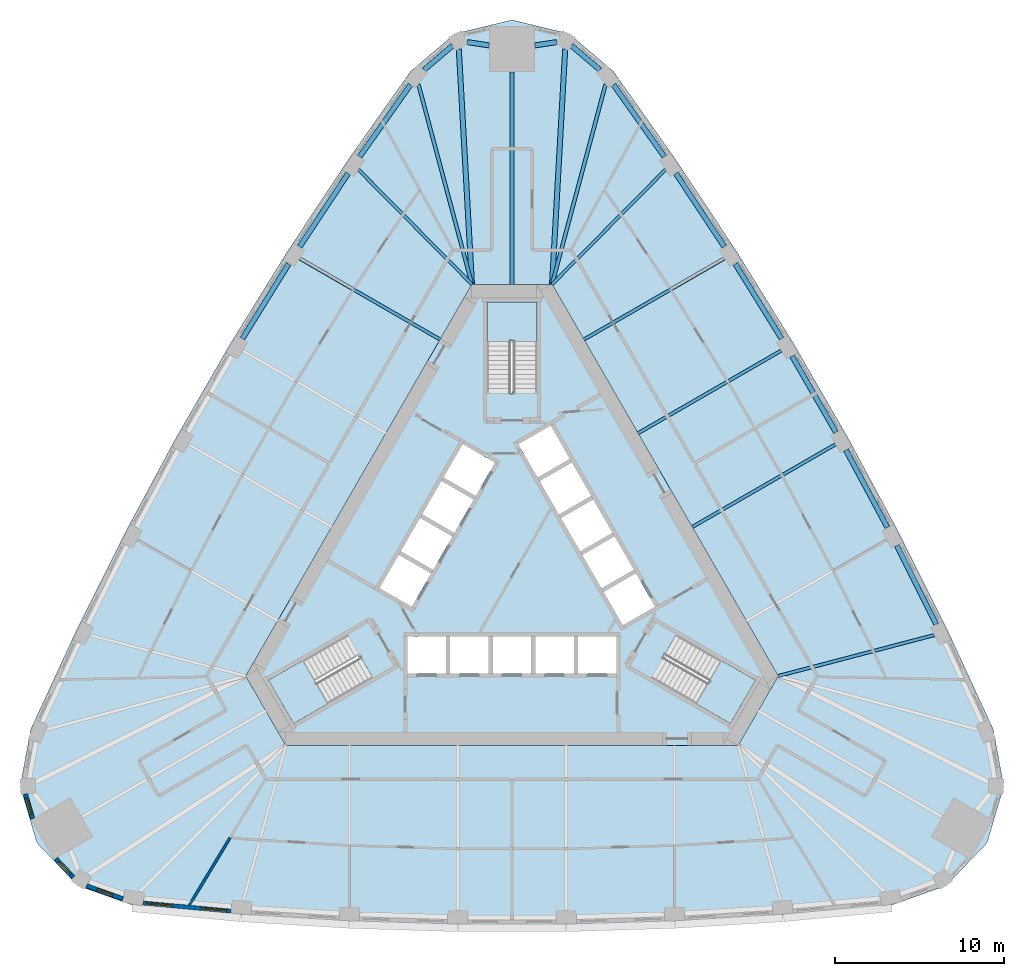
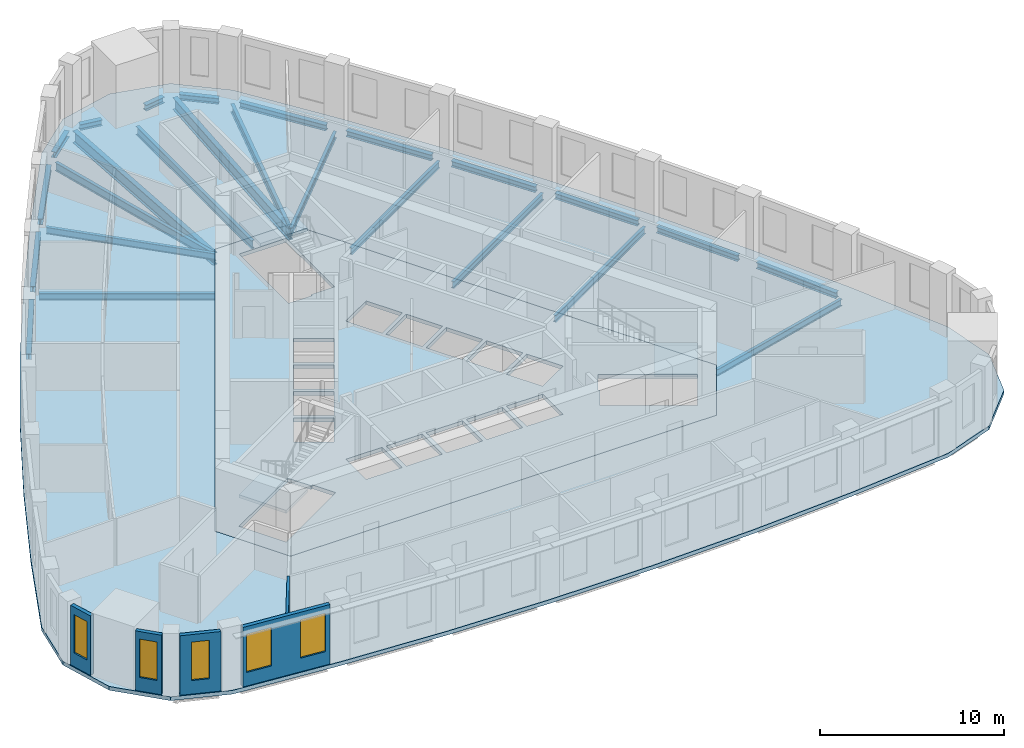
# One storey, part 2 of 10: 25 beams, 5 slabs, 5 walls, 5 windows, 5 openings, 3 elements without a shape of their own.
"""IFC4 building model written with IfcOpenShell, lengths in metres."""

import ifcopenshell
import ifcopenshell.guid

model = None  # the IFC model being written
_history = None  # IfcOwnerHistory: only IFC2X3 demands one
_inside = {}  # id of a spatial element -> (the spatial element, [elements in it])
_under = {}  # id of a project, library or spatial element -> (it, [spatial elements below it])
_declared = {}  # id of a project -> (the project, [libraries it declares])
_typed = {}  # id of a type object -> (the type object, [elements of that type])
_made_of = {}  # id of a material, layer set ... -> (it, [elements and type objects made of it])


def new_model(schema):
    """Start an empty IFC model of exactly this schema.

    Asked for "IFC4X3", IfcOpenShell would pick the latest addendum, in which some entities
    have other attributes; the version numbers below select the first issue.
    IFC2X3 requires an IfcOwnerHistory on every rooted entity: one is made here for all.
    """
    global model, _history
    if schema == "IFC4X3":
        model = ifcopenshell.file(schema_version=(4, 3, 0, 0))
    else:
        model = ifcopenshell.file(schema=schema)
    _inside.clear()
    _under.clear()
    _declared.clear()
    _typed.clear()
    _made_of.clear()
    _history = None
    if model.schema == "IFC2X3":
        org = make("IfcOrganization", Name="unknown")
        user = make(
            "IfcPersonAndOrganization",
            ThePerson=make("IfcPerson", FamilyName="unknown"),
            TheOrganization=org,
        )
        app = make(
            "IfcApplication",
            ApplicationDeveloper=org,
            Version="unknown",
            ApplicationFullName="unknown",
            ApplicationIdentifier="unknown",
        )
        _history = make(
            "IfcOwnerHistory",
            OwningUser=user,
            OwningApplication=app,
            ChangeAction="ADDED",
            CreationDate=0,
        )
    return model


def make(cls, **values):
    """One entity of the class cls with the attributes given. An attribute that is None is left unset."""
    return model.create_entity(
        cls, **{name: value for name, value in values.items() if value is not None}
    )


def rooted(cls, **values):
    """An entity with a GlobalId (a new one), such as an element, a storey or a relation."""
    return make(cls, GlobalId=ifcopenshell.guid.new(), OwnerHistory=_history, **values)


def si_unit(unit_type, name, prefix=None):
    """IfcSIUnit, for example si_unit("LENGTHUNIT", "METRE", prefix="MILLI")."""
    return make("IfcSIUnit", UnitType=unit_type, Prefix=prefix, Name=name)


def assignment(units):
    """IfcUnitAssignment: the units of a project."""
    return None if units is None else make("IfcUnitAssignment", Units=units)


def point(xyz):
    """IfcCartesianPoint."""
    return None if xyz is None else make("IfcCartesianPoint", Coordinates=xyz)


def direction(xyz):
    """IfcDirection."""
    return None if xyz is None else make("IfcDirection", DirectionRatios=xyz)


def frame(location, z_axis=None, x_axis=None):
    """IfcAxis2Placement3D, a coordinate frame: its origin and axes. An axis left out is left unset."""
    return make(
        "IfcAxis2Placement3D",
        Location=point(location),
        Axis=direction(z_axis),
        RefDirection=direction(x_axis),
    )


def frame_2d(location, x_axis=None):
    """IfcAxis2Placement2D, a coordinate frame in the plane: its origin and x axis."""
    return make(
        "IfcAxis2Placement2D", Location=point(location), RefDirection=direction(x_axis)
    )


def origin():
    """The frame at (0, 0, 0) with its axes left unset."""
    return frame((0.0, 0.0, 0.0))


def origin_2d():
    """The frame at (0, 0) in the plane with its x axis left unset."""
    return frame_2d((0.0, 0.0))


def place(relative_to, where):
    """IfcLocalPlacement: puts the frame where relative to a parent placement (None: the world)."""
    return make(
        "IfcLocalPlacement", PlacementRelTo=relative_to, RelativePlacement=where
    )


def context(
    kind, dimensions, precision=None, world=None, true_north=None, identifier=None
):
    """IfcGeometricRepresentationContext, for example the 3D "Model" context."""
    return make(
        "IfcGeometricRepresentationContext",
        ContextIdentifier=identifier,
        ContextType=kind,
        CoordinateSpaceDimension=dimensions,
        Precision=precision,
        WorldCoordinateSystem=world,
        TrueNorth=true_north,
    )


def subcontext(parent, identifier, kind, view, scale=None):
    """IfcGeometricRepresentationSubContext, for example "Body" below "Model"."""
    return make(
        "IfcGeometricRepresentationSubContext",
        ContextIdentifier=identifier,
        ContextType=kind,
        ParentContext=parent,
        TargetScale=scale,
        TargetView=view,
    )


def project(units=None, contexts=None):
    """IfcProject with its units and contexts."""
    return rooted(
        "IfcProject",
        Name="project",
        RepresentationContexts=contexts,
        UnitsInContext=assignment(units),
    )


def spatial(cls, under=None, at=None, **own):
    """A site, building, storey or space (cls), placed at a placement, below another one or the project."""
    s = rooted(cls, ObjectPlacement=at, **own)
    if under is not None:
        _under.setdefault(under.id(), (under, []))[1].append(s)
    return s


def polyline(points):
    """IfcPolyline through the points."""
    return make("IfcPolyline", Points=[point(p) for p in points])


def profile(cls, at=None, kind="AREA", **sizes):
    """A parametric profile (cls). Its sizes go by their IFC names, for example OverallWidth=200.0."""
    return make(cls, ProfileType=kind, Position=at, **sizes)


def rectangle(**sizes):
    """IfcRectangleProfileDef."""
    return profile("IfcRectangleProfileDef", **sizes)


def i_section(**sizes):
    """IfcIShapeProfileDef."""
    return profile("IfcIShapeProfileDef", **sizes)


def outline(outer, holes=None, kind="AREA"):
    """IfcArbitraryClosedProfileDef: a profile drawn as a closed curve; with holes, ...WithVoids."""
    if holes is None:
        return make("IfcArbitraryClosedProfileDef", ProfileType=kind, OuterCurve=outer)
    return make(
        "IfcArbitraryProfileDefWithVoids",
        ProfileType=kind,
        OuterCurve=outer,
        InnerCurves=holes,
    )


def extrude(swept, where, along, depth):
    """IfcExtrudedAreaSolid: the profile swept, set in the frame where, extruded along a direction by depth."""
    return make(
        "IfcExtrudedAreaSolid",
        SweptArea=swept,
        Position=where,
        ExtrudedDirection=direction(along),
        Depth=depth,
    )


def shape(context_of_items, identifier, shape_type, items):
    """IfcShapeRepresentation: the items that make up one representation, for example the "Body"."""
    return make(
        "IfcShapeRepresentation",
        ContextOfItems=context_of_items,
        RepresentationIdentifier=identifier,
        RepresentationType=shape_type,
        Items=items,
    )


def material(Name=None, Category=None):
    """IfcMaterial."""
    return make("IfcMaterial", Name=Name, Category=Category)


def layer(
    of_material, thickness, ventilated=None, Name=None, Category=None, Priority=None
):
    """IfcMaterialLayer: one layer of a wall or slab, of a material (None: an air gap)."""
    return make(
        "IfcMaterialLayer",
        Material=of_material,
        LayerThickness=thickness,
        IsVentilated=ventilated,
        Name=Name,
        Category=Category,
        Priority=Priority,
    )


def layer_set(layers, Name=None):
    """IfcMaterialLayerSet."""
    return make("IfcMaterialLayerSet", MaterialLayers=layers, LayerSetName=Name)


def material_profile(
    of_material, cross_section, Name=None, Category=None, Priority=None
):
    """IfcMaterialProfile: a cross section and its material."""
    return make(
        "IfcMaterialProfile",
        Name=Name,
        Material=of_material,
        Profile=cross_section,
        Priority=Priority,
        Category=Category,
    )


def profile_set(profiles, Name=None, composite=None):
    """IfcMaterialProfileSet."""
    return make(
        "IfcMaterialProfileSet",
        Name=Name,
        MaterialProfiles=profiles,
        CompositeProfile=composite,
    )


def made_of(thing, what):
    """Note that an element or type object is made of a material, layer set ...; save() writes the relation."""
    if what is not None:
        _made_of.setdefault(what.id(), (what, []))[1].append(thing)
    return thing


def type_object(cls, material=None, **own):
    """A type object (cls), such as IfcWallType, which elements share."""
    return made_of(rooted(cls, **own), material)


def element(
    cls,
    number,
    at=None,
    inside=None,
    cuts=None,
    type_object=None,
    material=None,
    context=None,
    identifier="Body",
    shape_type=None,
    held_by="IfcProductDefinitionShape",
    body=None,
    shapes=None,
    **own,
):
    """One element of the class cls, such as IfcWall. Its Tag is "e" and its number.

    at: its placement. inside: the storey or other place that contains it. cuts: it is an
    opening in that element (IfcRelVoidsElement). A single representation is given by context,
    identifier, shape_type and body (its items); several are given by shapes. held_by: the class
    of the entity that holds the representations. save() writes the other relations.
    """
    e = rooted(cls, Tag="e%d" % number, ObjectPlacement=at, **own)
    if body is not None:
        shapes = [shape(context, identifier, shape_type, body)]
    if shapes is not None:
        e.Representation = make(held_by, Representations=shapes)
    if inside is not None:
        _inside.setdefault(inside.id(), (inside, []))[1].append(e)
    if cuts is not None:
        rooted(
            "IfcRelVoidsElement", RelatingBuildingElement=cuts, RelatedOpeningElement=e
        )
    if type_object is not None:
        _typed.setdefault(type_object.id(), (type_object, []))[1].append(e)
    return made_of(e, material)


def fill(opening, filler):
    """IfcRelFillsElement: the door or window that sits in an opening."""
    return rooted(
        "IfcRelFillsElement",
        RelatingOpeningElement=opening,
        RelatedBuildingElement=filler,
    )


def aggregate(whole, parts):
    """IfcRelAggregates: a whole, such as a stair, and the parts it consists of."""
    return rooted("IfcRelAggregates", RelatingObject=whole, RelatedObjects=parts)


def save(model, path):
    """Write the relations noted so far, then the file.

    IfcRelAggregates (storeys below a building ...), IfcRelContainedInSpatialStructure (elements
    in a storey), IfcRelDefinesByType, IfcRelAssociatesMaterial and IfcRelDeclares: one each for
    every whole, place, type object, material and project.
    """
    for whole, parts in _under.values():
        aggregate(whole, parts)
    for where, things in _inside.values():
        rooted(
            "IfcRelContainedInSpatialStructure",
            RelatedElements=things,
            RelatingStructure=where,
        )
    for kind, things in _typed.values():
        rooted("IfcRelDefinesByType", RelatedObjects=things, RelatingType=kind)
    for what, things in _made_of.values():
        rooted("IfcRelAssociatesMaterial", RelatedObjects=things, RelatingMaterial=what)
    for by, libraries in _declared.values():
        rooted("IfcRelDeclares", RelatingContext=by, RelatedDefinitions=libraries)
    model.write(path)


model = new_model("IFC4")

# Units and contexts
model_context = context("Model", 3, precision=1e-05, world=origin(), true_north=direction((0.0, 1.0)))
body_context = subcontext(model_context, "Body", "Model", "MODEL_VIEW")
ifc_project = project(units=[si_unit("LENGTHUNIT", "METRE"), si_unit("AREAUNIT", "SQUARE_METRE"), si_unit("VOLUMEUNIT", "CUBIC_METRE"), si_unit("PLANEANGLEUNIT", "RADIAN"), si_unit("MASSUNIT", "GRAM", prefix="KILO")], contexts=[model_context])

# Site, building, storey
site_placement = place(None, origin())
site = spatial("IfcSite", under=ifc_project, at=site_placement, CompositionType="ELEMENT")
building_placement = place(site_placement, origin())
building = spatial("IfcBuilding", under=site, at=building_placement, Name="Mestral Congress Tower", CompositionType="ELEMENT")
storey_placement = place(building_placement, frame((0.0, 0.0, 154.199951171875)))
storey = spatial("IfcBuildingStorey", under=building, at=storey_placement, Name="L36", CompositionType="ELEMENT", Elevation=154.199951171875)

# Beams
ifc_material_1 = material(Name="Steel S355", Category="steel")
ifc_material_profile_1 = material_profile(ifc_material_1, i_section(OverallWidth=0.300048828125, OverallDepth=0.800048828125, WebThickness=0.017578125, FlangeThickness=0.032958984375, FilletRadius=0.030029296875, at=origin_2d()), Name="HEB 800")
ifc_profile_set_1 = profile_set([ifc_material_profile_1], Name="Steel S355")
beam_type_1 = type_object("IfcBeamType", Name="Floor beam HEB 800 S355", PredefinedType="BEAM", material=ifc_profile_set_1)
for number, where, z_axis, x_axis, name in (
    (1, (3.143798828125, 30.703857421875, -0.64990234375), (-0.055769084972, -0.998443693536, 0.0), (0.998443693536, -0.055769084972, 0.0), "BM-L36-RB3-N1"),
    (2, (-3.143798828125, 30.703857421875, -0.64990234375), (0.055769084972, -0.998443693536, 0.0), (0.998443693536, 0.055769084972, 0.0), "BM-L36-RB3-N3"),
):
    element("IfcBeam", number, at=place(storey_placement, frame(where, z_axis=z_axis, x_axis=x_axis)), inside=storey, type_object=beam_type_1, Name=name, PredefinedType="BEAM", context=body_context, shape_type="SweptSolid", body=[
        extrude(i_section(OverallWidth=0.300048828125, OverallDepth=0.800048828125, WebThickness=0.017578125, FlangeThickness=0.032958984375, FilletRadius=0.030029296875, at=origin_2d()), origin(), (0.0, 0.0, 1.0), 13.925537109375),
    ])
ifc_material_profile_2 = material_profile(ifc_material_1, i_section(OverallWidth=0.18994140625, OverallDepth=0.449951171875, WebThickness=0.009521484375, FlangeThickness=0.0146484375, FilletRadius=0.02099609375, at=origin_2d()), Name="IPE 450")
ifc_profile_set_2 = profile_set([ifc_material_profile_2], Name="Steel S355")
beam_type_2 = type_object("IfcBeamType", Name="Floor beam IPE 450 S355", PredefinedType="BEAM", material=ifc_profile_set_2)
beam_1_placement = place(storey_placement, frame((24.938232421875, -3.93505859375, -0.474853515625), z_axis=(-0.967265999603, -0.253764627187, 0.0), x_axis=(0.253764627187, -0.967265999603, 0.0)))
element("IfcBeam", 3, at=beam_1_placement, inside=storey, type_object=beam_type_2, Name="BM-L36-RB3-E01", PredefinedType="BEAM", context=body_context, shape_type="SweptSolid", body=[
    extrude(i_section(OverallWidth=0.18994140625, OverallDepth=0.449951171875, WebThickness=0.009521484375, FlangeThickness=0.0146484375, FilletRadius=0.02099609375, at=origin_2d()), origin(), (0.0, 0.0, 1.0), 9.516845703125),
])
beam_2_placement = place(storey_placement, frame((19.100830078125, 7.332763671875, -0.474853515625), z_axis=(-0.866036015824, -0.499981618958, 0.0), x_axis=(0.499981618958, -0.866036015824, 0.0)))
element("IfcBeam", 4, at=beam_2_placement, inside=storey, type_object=beam_type_2, Name="BM-L36-RB3-E03", PredefinedType="BEAM", context=body_context, shape_type="SweptSolid", body=[
    extrude(i_section(OverallWidth=0.18994140625, OverallDepth=0.449951171875, WebThickness=0.009521484375, FlangeThickness=0.0146484375, FilletRadius=0.02099609375, at=origin_2d()), origin(), (0.0, 0.0, 1.0), 9.758056640625),
])
beam_3_placement = place(storey_placement, frame((15.90087890625, 12.875244140625, -0.474853515625), z_axis=(-0.866025182435, -0.500000383388, 0.0), x_axis=(0.500000383388, -0.866025182435, 0.0)))
element("IfcBeam", 5, at=beam_3_placement, inside=storey, type_object=beam_type_2, Name="BM-L36-RB3-E04", PredefinedType="BEAM", context=body_context, shape_type="SweptSolid", body=[
    extrude(i_section(OverallWidth=0.18994140625, OverallDepth=0.449951171875, WebThickness=0.009521484375, FlangeThickness=0.0146484375, FilletRadius=0.02099609375, at=origin_2d()), origin(), (0.0, 0.0, 1.0), 9.75830078125),
])
beam_4_placement = place(storey_placement, frame((12.532958984375, 18.317138671875, -0.474853515625), z_axis=(-0.866022320763, -0.500005339912, 0.0), x_axis=(0.500005339912, -0.866022320763, 0.0)))
element("IfcBeam", 6, at=beam_4_placement, inside=storey, type_object=beam_type_2, Name="BM-L36-RB3-E05", PredefinedType="BEAM", context=body_context, shape_type="SweptSolid", body=[
    extrude(i_section(OverallWidth=0.18994140625, OverallDepth=0.449951171875, WebThickness=0.009521484375, FlangeThickness=0.0146484375, FilletRadius=0.02099609375, at=origin_2d()), origin(), (0.0, 0.0, 1.0), 9.5625),
])
for number, where, z_axis, x_axis, name in (
    (7, (9.06103515625, 23.564697265625, -0.474853515625), (-0.703377189025, -0.710816804781, 0.0), (0.710816804781, -0.703377189025, 0.0), "BM-L36-RB3-E06"),
    (8, (-9.06103515625, 23.564697265625, -0.474853515625), (0.703377189025, -0.710816804781, 0.0), (0.710816804781, 0.703377189025, 0.0), "BM-L36-RB3-W01"),
):
    element("IfcBeam", number, at=place(storey_placement, frame(where, z_axis=z_axis, x_axis=x_axis)), inside=storey, type_object=beam_type_2, Name=name, PredefinedType="BEAM", context=body_context, shape_type="SweptSolid", body=[
        extrude(i_section(OverallWidth=0.18994140625, OverallDepth=0.449951171875, WebThickness=0.009521484375, FlangeThickness=0.0146484375, FilletRadius=0.02099609375, at=origin_2d()), origin(), (0.0, 0.0, 1.0), 9.516845703125),
    ])
beam_5_placement = place(storey_placement, frame((-12.532958984375, 18.317138671875, -0.474853515625), z_axis=(0.866022320763, -0.500005339912, 0.0), x_axis=(0.500005339912, 0.866022320763, 0.0)))
element("IfcBeam", 9, at=beam_5_placement, inside=storey, type_object=beam_type_2, Name="BM-L36-RB3-W02", PredefinedType="BEAM", context=body_context, shape_type="SweptSolid", body=[
    extrude(i_section(OverallWidth=0.18994140625, OverallDepth=0.449951171875, WebThickness=0.009521484375, FlangeThickness=0.0146484375, FilletRadius=0.02099609375, at=origin_2d()), origin(), (0.0, 0.0, 1.0), 9.5625),
])
ifc_material_profile_3 = material_profile(ifc_material_1, i_section(OverallWidth=0.2099609375, OverallDepth=0.550048828125, WebThickness=0.010986328125, FlangeThickness=0.01708984375, FilletRadius=0.02392578125, at=origin_2d()), Name="IPE 550")
ifc_profile_set_3 = profile_set([ifc_material_profile_3], Name="Steel S355")
beam_type_3 = type_object("IfcBeamType", Name="Floor beam IPE 550 S355", PredefinedType="BEAM", material=ifc_profile_set_3)
beam_6_placement = place(storey_placement, frame((5.5283203125, 28.609375, -0.52490234375), z_axis=(-0.258577363905, -0.965990552167, 0.0), x_axis=(0.965990552167, -0.258577363905, 0.0)))
element("IfcBeam", 10, at=beam_6_placement, inside=storey, type_object=beam_type_3, Name="BM-L36-RB3-E07", PredefinedType="BEAM", context=body_context, shape_type="SweptSolid", body=[
    extrude(i_section(OverallWidth=0.2099609375, OverallDepth=0.550048828125, WebThickness=0.010986328125, FlangeThickness=0.01708984375, FilletRadius=0.02392578125, at=origin_2d()), origin(), (0.0, 0.0, 1.0), 12.22509765625),
])
beam_7_placement = place(storey_placement, frame((0.0, 29.354248046875, -0.52490234375), z_axis=(0.0, -1.0, 0.0), x_axis=(1.0, 0.0, 0.0)))
element("IfcBeam", 11, at=beam_7_placement, inside=storey, type_object=beam_type_3, Name="BM-L36-RB3-N", PredefinedType="BEAM", context=body_context, shape_type="SweptSolid", body=[
    extrude(i_section(OverallWidth=0.2099609375, OverallDepth=0.550048828125, WebThickness=0.010986328125, FlangeThickness=0.01708984375, FilletRadius=0.02392578125, at=origin_2d()), origin(), (0.0, 0.0, 1.0), 12.55419921875),
])
beam_8_placement = place(storey_placement, frame((-5.5283203125, 28.609375, -0.52490234375), z_axis=(0.258577363905, -0.965990552167, 0.0), x_axis=(0.965990552167, 0.258577363905, 0.0)))
element("IfcBeam", 12, at=beam_8_placement, inside=storey, type_object=beam_type_3, Name="BM-L36-RB3-W00", PredefinedType="BEAM", context=body_context, shape_type="SweptSolid", body=[
    extrude(i_section(OverallWidth=0.2099609375, OverallDepth=0.550048828125, WebThickness=0.010986328125, FlangeThickness=0.01708984375, FilletRadius=0.02392578125, at=origin_2d()), origin(), (0.0, 0.0, 1.0), 12.22509765625),
])
ifc_material_profile_4 = material_profile(ifc_material_1, i_section(OverallWidth=0.300048828125, OverallDepth=0.389892578125, WebThickness=0.010986328125, FlangeThickness=0.01904296875, FilletRadius=0.027099609375, at=origin_2d()), Name="HEA 400")
ifc_profile_set_4 = profile_set([ifc_material_profile_4], Name="Steel S355")
beam_type_4 = type_object("IfcBeamType", Name="Spandrel beam HEA 400 S355", PredefinedType="BEAM", material=ifc_profile_set_4)
beam_9_placement = place(storey_placement, frame((25.064453125, -3.294677734375, -0.445068359375), z_axis=(-0.446255467462, 0.894905613884, 0.0), x_axis=(-0.894905613884, -0.446255467462, 0.0)))
element("IfcBeam", 13, at=beam_9_placement, inside=storey, type_object=beam_type_4, Name="SP-L36-SB3-E01", PredefinedType="BEAM", context=body_context, shape_type="SweptSolid", body=[
    extrude(i_section(OverallWidth=0.300048828125, OverallDepth=0.389892578125, WebThickness=0.010986328125, FlangeThickness=0.01904296875, FilletRadius=0.027099609375, at=origin_2d()), origin(), (0.0, 0.0, 1.0), 5.199462890625),
])
for number, where, z_axis, x_axis, name in (
    (14, (22.1923828125, 2.424072265625, -0.445068359375), (-0.473332458078, 0.880883865291, 0.0), (-0.880883865291, -0.473332458078, 0.0), "SP-L36-SB3-E02"),
    (15, (19.147216796875, 8.052490234375, -0.445068359375), (-0.499992051641, 0.866029992723, 0.0), (-0.866029992723, -0.499992051641, 0.0), "SP-L36-SB3-E03"),
):
    element("IfcBeam", number, at=place(storey_placement, frame(where, z_axis=z_axis, x_axis=x_axis)), inside=storey, type_object=beam_type_4, Name=name, PredefinedType="BEAM", context=body_context, shape_type="SweptSolid", body=[
        extrude(i_section(OverallWidth=0.300048828125, OverallDepth=0.389892578125, WebThickness=0.010986328125, FlangeThickness=0.01904296875, FilletRadius=0.027099609375, at=origin_2d()), origin(), (0.0, 0.0, 1.0), 5.19970703125),
    ])
for number, where, z_axis, x_axis, name in (
    (16, (15.931640625, 13.585693359375, -0.445068359375), (-0.526220441006, 0.8503481919, 0.0), (-0.8503481919, -0.526220441006, 0.0), "SP-L36-SB3-E04"),
    (17, (12.548583984375, 19.017822265625, -0.445068359375), (-0.551901475275, 0.833909324561, 0.0), (-0.833909324561, -0.551901475275, 0.0), "SP-L36-SB3-E05"),
):
    element("IfcBeam", number, at=place(storey_placement, frame(where, z_axis=z_axis, x_axis=x_axis)), inside=storey, type_object=beam_type_4, Name=name, PredefinedType="BEAM", context=body_context, shape_type="SweptSolid", body=[
        extrude(i_section(OverallWidth=0.300048828125, OverallDepth=0.389892578125, WebThickness=0.010986328125, FlangeThickness=0.01904296875, FilletRadius=0.027099609375, at=origin_2d()), origin(), (0.0, 0.0, 1.0), 5.199462890625),
    ])
beam_10_placement = place(storey_placement, frame((9.00146484375, 24.34423828125, -0.445068359375), z_axis=(-0.577107284947, 0.816668342512, 0.0), x_axis=(-0.816668342512, -0.577107284947, 0.0)))
element("IfcBeam", 18, at=beam_10_placement, inside=storey, type_object=beam_type_4, Name="SP-L36-SB3-E06", PredefinedType="BEAM", context=body_context, shape_type="SweptSolid", body=[
    extrude(i_section(OverallWidth=0.300048828125, OverallDepth=0.389892578125, WebThickness=0.010986328125, FlangeThickness=0.01904296875, FilletRadius=0.027099609375, at=origin_2d()), origin(), (0.0, 0.0, 1.0), 5.197509765625),
])
beam_11_placement = place(storey_placement, frame((5.191162109375, 29.47509765625, -0.445068359375), z_axis=(-0.761471479234, 0.648198415852, 0.0), x_axis=(-0.648198415852, -0.761471479234, 0.0)))
element("IfcBeam", 19, at=beam_11_placement, inside=storey, type_object=beam_type_4, Name="SP-L36-SB3-E07", PredefinedType="BEAM", context=body_context, shape_type="SweptSolid", body=[
    extrude(i_section(OverallWidth=0.300048828125, OverallDepth=0.389892578125, WebThickness=0.010986328125, FlangeThickness=0.01904296875, FilletRadius=0.027099609375, at=origin_2d()), origin(), (0.0, 0.0, 1.0), 2.189697265625),
])
for number, where, z_axis, x_axis, name in (
    (20, (2.62353515625, 31.10986328125, -0.445068359375), (-0.988242111203, -0.152897121116, 0.0), (0.152897121116, -0.988242111203, 0.0), "SP-L36-SB3-N1"),
    (21, (-1.35009765625, 30.912841796875, -0.445068359375), (-0.988242111203, 0.152897121116, 0.0), (-0.152897121116, -0.988242111203, 0.0), "SP-L36-SB3-N"),
):
    element("IfcBeam", number, at=place(storey_placement, frame(where, z_axis=z_axis, x_axis=x_axis)), inside=storey, type_object=beam_type_4, Name=name, PredefinedType="BEAM", context=body_context, shape_type="SweptSolid", body=[
        extrude(i_section(OverallWidth=0.300048828125, OverallDepth=0.389892578125, WebThickness=0.010986328125, FlangeThickness=0.01904296875, FilletRadius=0.027099609375, at=origin_2d()), origin(), (0.0, 0.0, 1.0), 1.28857421875),
    ])
beam_12_placement = place(storey_placement, frame((-3.523681640625, 30.89453125, -0.445068359375), z_axis=(-0.761471479234, -0.648198415852, 0.0), x_axis=(0.648198415852, -0.761471479234, 0.0)))
element("IfcBeam", 22, at=beam_12_placement, inside=storey, type_object=beam_type_4, Name="SP-L36-SB3-N3", PredefinedType="BEAM", context=body_context, shape_type="SweptSolid", body=[
    extrude(i_section(OverallWidth=0.300048828125, OverallDepth=0.389892578125, WebThickness=0.010986328125, FlangeThickness=0.01904296875, FilletRadius=0.027099609375, at=origin_2d()), origin(), (0.0, 0.0, 1.0), 2.189697265625),
])
beam_13_placement = place(storey_placement, frame((-6.001953125, 28.5888671875, -0.445068359375), z_axis=(-0.577107284947, -0.816668342512, 0.0), x_axis=(0.816668342512, -0.577107284947, 0.0)))
element("IfcBeam", 23, at=beam_13_placement, inside=storey, type_object=beam_type_4, Name="SP-L36-SB3-W00", PredefinedType="BEAM", context=body_context, shape_type="SweptSolid", body=[
    extrude(i_section(OverallWidth=0.300048828125, OverallDepth=0.389892578125, WebThickness=0.010986328125, FlangeThickness=0.01904296875, FilletRadius=0.027099609375, at=origin_2d()), origin(), (0.0, 0.0, 1.0), 5.197509765625),
])
for number, where, z_axis, x_axis, name in (
    (24, (-9.678955078125, 23.353759765625, -0.445068359375), (-0.551901475275, -0.833909324561, 0.0), (0.833909324561, -0.551901475275, 0.0), "SP-L36-SB3-W01"),
    (25, (-13.195556640625, 18.007080078125, -0.445068359375), (-0.526220441006, -0.8503481919, 0.0), (0.8503481919, -0.526220441006, 0.0), "SP-L36-SB3-W02"),
):
    element("IfcBeam", number, at=place(storey_placement, frame(where, z_axis=z_axis, x_axis=x_axis)), inside=storey, type_object=beam_type_4, Name=name, PredefinedType="BEAM", context=body_context, shape_type="SweptSolid", body=[
        extrude(i_section(OverallWidth=0.300048828125, OverallDepth=0.389892578125, WebThickness=0.010986328125, FlangeThickness=0.01904296875, FilletRadius=0.027099609375, at=origin_2d()), origin(), (0.0, 0.0, 1.0), 5.199462890625),
    ])

# Slabs
ifc_material_2 = material(Name="Concrete C35/45", Category="concrete")
ifc_layer_1 = layer(ifc_material_2, 0.25)
ifc_layer_set_1 = layer_set([ifc_layer_1], Name="Concrete C35/45")
slab_type_1 = type_object("IfcSlabType", Name="Composite floor slab 250", PredefinedType="FLOOR", material=ifc_layer_set_1)
placement_1 = place(storey_placement, frame((0.0, 0.0, -0.25)))
element("IfcSlab", 26, at=placement_1, inside=storey, type_object=slab_type_1, Name="SL-L36", PredefinedType="FLOOR", context=body_context, shape_type="SweptSolid", body=[
    extrude(outline(polyline([(-22.455078125, -19.880126953125), (-25.68212890625, -18.731689453125), (-28.073974609375, -16.20849609375), (-29.06298828125, -12.87548828125), (-28.444091796875, -9.506591796875), (-25.73779296875, -3.63720703125), (-22.8759765625, 2.1025390625), (-19.84033203125, 7.751953125), (-16.633544921875, 13.30615234375), (-13.2587890625, 18.760009765625), (-9.71923828125, 24.1083984375), (-5.9892578125, 29.38671875), (-3.381103515625, 31.607177734375), (0.0, 32.4169921875), (3.381103515625, 31.607177734375), (5.9892578125, 29.38671875), (9.71923828125, 24.1083984375), (13.2587890625, 18.760009765625), (16.633544921875, 13.30615234375), (19.84033203125, 7.751953125), (22.8759765625, 2.1025390625), (25.73779296875, -3.63720703125), (28.444091796875, -9.506591796875), (29.06298828125, -12.87548828125), (28.073974609375, -16.20849609375), (25.68212890625, -18.731689453125), (22.455078125, -19.880126953125), (16.018798828125, -20.47119140625), (9.6171875, -20.862548828125), (3.206787109375, -21.05810546875), (-3.206787109375, -21.05810546875), (-9.6171875, -20.862548828125), (-16.018798828125, -20.47119140625), (-22.455078125, -19.880126953125)]), holes=[polyline([(-2.3671875, 16.800048828125), (-15.73291015625, -6.35009765625), (-13.36572265625, -10.449951171875), (13.36572265625, -10.449951171875), (15.73291015625, -6.35009765625), (2.3671875, 16.800048828125), (-2.3671875, 16.800048828125)])]), origin(), (0.0, 0.0, 1.0), 0.25),
])
ifc_material_3 = material(Name="Concrete C60/75", Category="concrete")
ifc_layer_2 = layer(ifc_material_3, 0.25)
ifc_layer_set_2 = layer_set([ifc_layer_2], Name="Concrete C60/75")
slab_type_2 = type_object("IfcSlabType", Name="Core floor slab RC 250", PredefinedType="FLOOR", material=ifc_layer_set_2)
element("IfcSlab", 27, at=placement_1, inside=storey, type_object=slab_type_2, Name="L36 core floor", PredefinedType="FLOOR", context=body_context, shape_type="SweptSolid", body=[
    extrude(outline(polyline([(13.36572265625, -10.449951171875), (-13.36572265625, -10.449951171875), (-15.73291015625, -6.35009765625), (-2.3671875, 16.800048828125), (2.3671875, 16.800048828125), (15.73291015625, -6.35009765625), (13.36572265625, -10.449951171875)]), holes=[polyline([(-9.8046875, -3.95751953125), (-14.37744140625, -6.59765625), (-12.90234375, -9.15234375), (-8.234619140625, -6.45751953125), (-8.971923828125, -5.179931640625), (-9.0673828125, -5.235107421875), (-9.8046875, -3.95751953125)]), polyline([(-3.905029296875, -4.0), (-6.175048828125, -4.0), (-6.175048828125, -6.199951171875), (-3.905029296875, -6.199951171875), (-3.905029296875, -4.0)]), polyline([(-1.385009765625, -4.0), (-3.655029296875, -4.0), (-3.655029296875, -6.199951171875), (-1.385009765625, -6.199951171875), (-1.385009765625, -4.0)]), polyline([(1.135009765625, -4.0), (-1.135009765625, -4.0), (-1.135009765625, -6.199951171875), (1.135009765625, -6.199951171875), (1.135009765625, -4.0)]), polyline([(-5.921630859375, -2.256591796875), (-4.78662109375, -0.29052734375), (-6.69189453125, 0.809326171875), (-7.826904296875, -1.156494140625), (-5.921630859375, -2.256591796875)]), polyline([(-4.66162109375, -0.07421875), (-3.526611328125, 1.8916015625), (-5.431884765625, 2.99169921875), (-6.56689453125, 1.02587890625), (-4.66162109375, -0.07421875)]), polyline([(-3.401611328125, 2.1083984375), (-2.2666015625, 4.07421875), (-4.171875, 5.174072265625), (-5.306884765625, 3.208251953125), (-3.401611328125, 2.1083984375)]), polyline([(-2.1416015625, 4.29052734375), (-1.006591796875, 6.256591796875), (-2.911865234375, 7.3564453125), (-4.046875, 5.390625), (-2.1416015625, 4.29052734375)]), polyline([(1.47509765625, 10.469970703125), (1.47509765625, 15.75), (-1.47509765625, 15.75), (-1.47509765625, 10.360107421875), (0.0, 10.360107421875), (0.0, 10.469970703125), (1.47509765625, 10.469970703125)]), polyline([(8.329833984375, -6.512451171875), (12.90234375, -9.15234375), (14.37744140625, -6.59765625), (9.70947265625, -3.902587890625), (8.971923828125, -5.179931640625), (9.0673828125, -5.235107421875), (8.329833984375, -6.512451171875)]), polyline([(3.655029296875, -4.0), (1.385009765625, -4.0), (1.385009765625, -6.199951171875), (3.655029296875, -6.199951171875), (3.655029296875, -4.0)]), polyline([(6.175048828125, -4.0), (3.905029296875, -4.0), (3.905029296875, -6.199951171875), (6.175048828125, -6.199951171875), (6.175048828125, -4.0)]), polyline([(5.41650390625, -1.3818359375), (6.551513671875, -3.34765625), (8.456787109375, -2.247802734375), (7.322021484375, -0.28173828125), (5.41650390625, -1.3818359375)]), polyline([(4.156494140625, 0.800537109375), (5.29150390625, -1.165283203125), (7.197021484375, -0.065185546875), (6.06201171875, 1.900634765625), (4.156494140625, 0.800537109375)]), polyline([(2.896484375, 2.98291015625), (4.031494140625, 1.01708984375), (5.93701171875, 2.1171875), (4.802001953125, 4.0830078125), (2.896484375, 2.98291015625)]), polyline([(3.5419921875, 6.265380859375), (1.63671875, 5.165283203125), (2.771484375, 3.199462890625), (4.677001953125, 4.29931640625), (3.5419921875, 6.265380859375)]), polyline([(2.281982421875, 8.44775390625), (0.376708984375, 7.34765625), (1.51171875, 5.3818359375), (3.4169921875, 6.481689453125), (2.281982421875, 8.44775390625)])]), origin(), (0.0, 0.0, 1.0), 0.25),
])

# Stair, slab
stair_type = type_object("IfcStairType", Name="Exit stair 1400", PredefinedType="HALF_TURN_STAIR", material=ifc_material_3)
placement_2 = place(storey_placement, origin())
stair_1 = element("IfcStair", 28, at=placement_2, inside=storey, type_object=stair_type, Name="L36 ST1", PredefinedType="HALF_TURN_STAIR")
ifc_layer_3 = layer(ifc_material_3, 0.199951171875)
ifc_layer_set_3 = layer_set([ifc_layer_3], Name="Concrete C60/75")
slab_type_3 = type_object("IfcSlabType", Name="Exit stair landing 200", PredefinedType="LANDING", material=ifc_layer_set_3)
placement_3 = place(storey_placement, frame((0.0, 0.0, 1.900146484375)))
slab_3 = element("IfcSlab", 29, at=placement_3, type_object=slab_type_3, Name="ST1 landing 1", PredefinedType="LANDING", context=body_context, shape_type="SweptSolid", body=[
    extrude(outline(polyline([(10.879638671875, -7.99609375), (12.364501953125, -5.424072265625), (14.39111328125, -6.593994140625), (12.906005859375, -9.166015625), (10.879638671875, -7.99609375)])), origin(), (0.0, 0.0, 1.0), 0.199951171875),
])
aggregate(stair_1, [slab_3])

stair_2 = element("IfcStair", 30, at=placement_2, inside=storey, type_object=stair_type, Name="L36 ST2", PredefinedType="HALF_TURN_STAIR")
slab_4 = element("IfcSlab", 31, at=placement_3, type_object=slab_type_3, Name="ST2 landing 1", PredefinedType="LANDING", context=body_context, shape_type="SweptSolid", body=[
    extrude(outline(polyline([(1.485107421875, 13.419921875), (-1.485107421875, 13.419921875), (-1.485107421875, 15.760009765625), (1.485107421875, 15.760009765625), (1.485107421875, 13.419921875)])), origin(), (0.0, 0.0, 1.0), 0.199951171875),
])
aggregate(stair_2, [slab_4])

stair_3 = element("IfcStair", 32, at=placement_2, inside=storey, type_object=stair_type, Name="L36 ST3", PredefinedType="HALF_TURN_STAIR")
slab_5 = element("IfcSlab", 33, at=placement_3, type_object=slab_type_3, Name="ST3 landing 1", PredefinedType="LANDING", context=body_context, shape_type="SweptSolid", body=[
    extrude(outline(polyline([(-12.364501953125, -5.424072265625), (-10.879638671875, -7.99609375), (-12.906005859375, -9.166015625), (-14.39111328125, -6.593994140625), (-12.364501953125, -5.424072265625)])), origin(), (0.0, 0.0, 1.0), 0.199951171875),
])
aggregate(stair_3, [slab_5])

# Wall, openings, windows
ifc_material_4 = material(Name="Precast concrete C40/50 with limestone facing", Category="masonry")
ifc_layer_4 = layer(ifc_material_4, 0.239990234375)
ifc_layer_set_4 = layer_set([ifc_layer_4], Name="Precast concrete C40/50 with limestone facing")
wall_type_1 = type_object("IfcWallType", Name="Facade stone wall 240", PredefinedType="SOLIDWALL", material=ifc_layer_set_4)
wall_1_placement = place(storey_placement, frame((-21.797119140625, -19.769775390625, 0.0), z_axis=(0.0, 0.0, 1.0), x_axis=(0.995808712151, -0.091460422067, 0.0)))
wall_1 = element("IfcWall", 34, at=wall_1_placement, inside=storey, type_object=wall_type_1, Name="Facade wall F0-00", PredefinedType="SOLIDWALL", context=body_context, shape_type="SweptSolid", body=[
    extrude(rectangle(XDim=5.213134765625, YDim=0.239990234375, at=frame_2d((2.6064453125, 0.0))), origin(), (0.0, 0.0, 1.0), 3.949951171875),
])
opening_1_placement = place(wall_1_placement, frame((0.220947265625, 0.0, 0.89990234375)))
opening_1 = element("IfcOpeningElement", 35, at=opening_1_placement, cuts=wall_1, Name="Opening W4", PredefinedType="OPENING", context=body_context, shape_type="SweptSolid", body=[
    extrude(rectangle(XDim=1.5, YDim=2.550048828125, at=frame_2d((0.75, 1.27490234375))), frame((0.0, 0.1298828125, 0.0), z_axis=(0.0, -1.0, 0.0), x_axis=(1.0, 0.0, 0.0)), (0.0, 0.0, 1.0), 0.260009765625),
])
opening_2_placement = place(wall_1_placement, frame((3.452392578125, 0.0, 0.89990234375)))
opening_2 = element("IfcOpeningElement", 36, at=opening_2_placement, cuts=wall_1, Name="Opening W4", PredefinedType="OPENING", context=body_context, shape_type="SweptSolid", body=[
    extrude(rectangle(XDim=1.5, YDim=2.550048828125, at=frame_2d((0.75, 1.27490234375))), frame((0.0, 0.1298828125, 0.0), z_axis=(0.0, -1.0, 0.0), x_axis=(1.0, 0.0, 0.0)), (0.0, 0.0, 1.0), 0.260009765625),
])
ifc_material_5 = material(Name="Clear low-emissivity double glazing", Category="glass")
window_type_1 = type_object("IfcWindowType", Name="Facade punched window 1500 x 2550 sill 900", PartitioningType="SINGLE_PANEL", PredefinedType="WINDOW", material=ifc_material_5)
window_1_placement = place(opening_1_placement, origin())
window_1 = element("IfcWindow", 37, at=window_1_placement, inside=storey, type_object=window_type_1, Name="Window F0-00a", OverallHeight=2.550048828125, OverallWidth=1.5, PartitioningType="SINGLE_PANEL", PredefinedType="WINDOW", context=body_context, shape_type="SweptSolid", body=[
    extrude(rectangle(XDim=1.5, YDim=2.550048828125, at=frame_2d((0.75, 1.27490234375))), frame((0.0, 0.0400390625, 0.0), z_axis=(0.0, -1.0, 0.0), x_axis=(1.0, 0.0, 0.0)), (0.0, 0.0, 1.0), 0.06005859375),
])
fill(opening_1, window_1)
window_2_placement = place(opening_2_placement, origin())
window_2 = element("IfcWindow", 38, at=window_2_placement, inside=storey, type_object=window_type_1, Name="Window F0-00b", OverallHeight=2.550048828125, OverallWidth=1.5, PartitioningType="SINGLE_PANEL", PredefinedType="WINDOW", context=body_context, shape_type="SweptSolid", body=[
    extrude(rectangle(XDim=1.5, YDim=2.550048828125, at=frame_2d((0.75, 1.27490234375))), frame((0.0, 0.0400390625, 0.0), z_axis=(0.0, -1.0, 0.0), x_axis=(1.0, 0.0, 0.0)), (0.0, 0.0, 1.0), 0.06005859375),
])
fill(opening_2, window_2)

# Wall, opening, window
wall_2_placement = place(storey_placement, frame((-28.747802734375, -13.340087890625, 0.0), z_axis=(0.0, 0.0, 1.0), x_axis=(0.284413721403, -0.958701640281, 0.0)))
wall_2 = element("IfcWall", 39, at=wall_2_placement, inside=storey, type_object=wall_type_1, Name="Facade wall K2-1", PredefinedType="SOLIDWALL", context=body_context, shape_type="SweptSolid", body=[
    extrude(rectangle(XDim=1.481689453125, YDim=0.239990234375, at=frame_2d((0.74072265625, 0.0))), origin(), (0.0, 0.0, 1.0), 3.949951171875),
])
opening_3_placement = place(wall_2_placement, frame((0.24072265625, 0.0, 0.89990234375)))
opening_3 = element("IfcOpeningElement", 40, at=opening_3_placement, cuts=wall_2, Name="Opening W5", PredefinedType="OPENING", context=body_context, shape_type="SweptSolid", body=[
    extrude(rectangle(XDim=1.0, YDim=2.550048828125, at=frame_2d((0.5, 1.27490234375))), frame((0.0, 0.1298828125, 0.0), z_axis=(0.0, -1.0, 0.0), x_axis=(1.0, 0.0, 0.0)), (0.0, 0.0, 1.0), 0.260009765625),
])
window_type_2 = type_object("IfcWindowType", Name="Facade punched window 1000 x 2550 sill 900", PartitioningType="SINGLE_PANEL", PredefinedType="WINDOW", material=ifc_material_5)
window_3_placement = place(opening_3_placement, origin())
window_3 = element("IfcWindow", 41, at=window_3_placement, inside=storey, type_object=window_type_2, Name="Window K2-1", OverallHeight=2.550048828125, OverallWidth=1.0, PartitioningType="SINGLE_PANEL", PredefinedType="WINDOW", context=body_context, shape_type="SweptSolid", body=[
    extrude(rectangle(XDim=1.0, YDim=2.550048828125, at=frame_2d((0.5, 1.27490234375))), frame((0.0, 0.0400390625, 0.0), z_axis=(0.0, -1.0, 0.0), x_axis=(1.0, 0.0, 0.0)), (0.0, 0.0, 1.0), 0.06005859375),
])
fill(opening_3, window_3)

wall_3_placement = place(storey_placement, frame((-26.946044921875, -17.151123046875, 0.0), z_axis=(0.0, 0.0, 1.0), x_axis=(0.687986858937, -0.725723144133, 0.0)))
wall_3 = element("IfcWall", 42, at=wall_3_placement, inside=storey, type_object=wall_type_1, Name="Facade wall K2-2", PredefinedType="SOLIDWALL", context=body_context, shape_type="SweptSolid", body=[
    extrude(rectangle(XDim=1.4814453125, YDim=0.239990234375, at=frame_2d((0.74072265625, 0.0))), origin(), (0.0, 0.0, 1.0), 3.949951171875),
])
opening_4_placement = place(wall_3_placement, frame((0.24072265625, 0.0, 0.89990234375)))
opening_4 = element("IfcOpeningElement", 43, at=opening_4_placement, cuts=wall_3, Name="Opening W5", PredefinedType="OPENING", context=body_context, shape_type="SweptSolid", body=[
    extrude(rectangle(XDim=1.0, YDim=2.550048828125, at=frame_2d((0.5, 1.27490234375))), frame((0.0, 0.1298828125, 0.0), z_axis=(0.0, -1.0, 0.0), x_axis=(1.0, 0.0, 0.0)), (0.0, 0.0, 1.0), 0.260009765625),
])
window_4_placement = place(opening_4_placement, origin())
window_4 = element("IfcWindow", 44, at=window_4_placement, inside=storey, type_object=window_type_2, Name="Window K2-2", OverallHeight=2.550048828125, OverallWidth=1.0, PartitioningType="SINGLE_PANEL", PredefinedType="WINDOW", context=body_context, shape_type="SweptSolid", body=[
    extrude(rectangle(XDim=1.0, YDim=2.550048828125, at=frame_2d((0.5, 1.27490234375))), frame((0.0, 0.0400390625, 0.0), z_axis=(0.0, -1.0, 0.0), x_axis=(1.0, 0.0, 0.0)), (0.0, 0.0, 1.0), 0.06005859375),
])
fill(opening_4, window_4)

wall_4_placement = place(storey_placement, frame((-25.12109375, -18.750732421875, 0.0), z_axis=(0.0, 0.0, 1.0), x_axis=(0.942099727267, -0.335332825539, 0.0)))
wall_4 = element("IfcWall", 45, at=wall_4_placement, inside=storey, type_object=wall_type_1, Name="Facade wall K2-3", PredefinedType="SOLIDWALL", context=body_context, shape_type="SweptSolid", body=[
    extrude(rectangle(XDim=2.25048828125, YDim=0.239990234375, at=frame_2d((1.125244140625, 0.0))), origin(), (0.0, 0.0, 1.0), 3.949951171875),
])
opening_5_placement = place(wall_4_placement, frame((0.625244140625, 0.0, 0.89990234375)))
opening_5 = element("IfcOpeningElement", 46, at=opening_5_placement, cuts=wall_4, Name="Opening W5", PredefinedType="OPENING", context=body_context, shape_type="SweptSolid", body=[
    extrude(rectangle(XDim=1.0, YDim=2.550048828125, at=frame_2d((0.5, 1.27490234375))), frame((0.0, 0.1298828125, 0.0), z_axis=(0.0, -1.0, 0.0), x_axis=(1.0, 0.0, 0.0)), (0.0, 0.0, 1.0), 0.260009765625),
])
window_5_placement = place(opening_5_placement, origin())
window_5 = element("IfcWindow", 47, at=window_5_placement, inside=storey, type_object=window_type_2, Name="Window K2-3", OverallHeight=2.550048828125, OverallWidth=1.0, PartitioningType="SINGLE_PANEL", PredefinedType="WINDOW", context=body_context, shape_type="SweptSolid", body=[
    extrude(rectangle(XDim=1.0, YDim=2.550048828125, at=frame_2d((0.5, 1.27490234375))), frame((0.0, 0.0400390625, 0.0), z_axis=(0.0, -1.0, 0.0), x_axis=(1.0, 0.0, 0.0)), (0.0, 0.0, 1.0), 0.06005859375),
])
fill(opening_5, window_5)

# Wall
ifc_material_6 = material(Name="Plasterboard partition on steel studs", Category="steel")
ifc_layer_5 = layer(ifc_material_6, 0.14990234375)
ifc_layer_set_5 = layer_set([ifc_layer_5], Name="Plasterboard partition on steel studs")
wall_type_2 = type_object("IfcWallType", Name="Office partition 150", PredefinedType="PARTITIONING", material=ifc_layer_set_5)
wall_5_placement = place(storey_placement, frame((-16.655517578125, -15.89990234375, 0.0), z_axis=(0.0, 0.0, 1.0), x_axis=(-0.516845255261, -0.856078841062, 0.0)))
element("IfcWall", 48, at=wall_5_placement, inside=storey, type_object=wall_type_2, Name="Partition", PredefinedType="PARTITIONING", context=body_context, shape_type="SweptSolid", body=[
    extrude(rectangle(XDim=4.672119140625, YDim=0.14990234375, at=frame_2d((2.3359375, 0.0))), origin(), (0.0, 0.0, 1.0), 3.150146484375),
])

save(model, "model.ifc")
